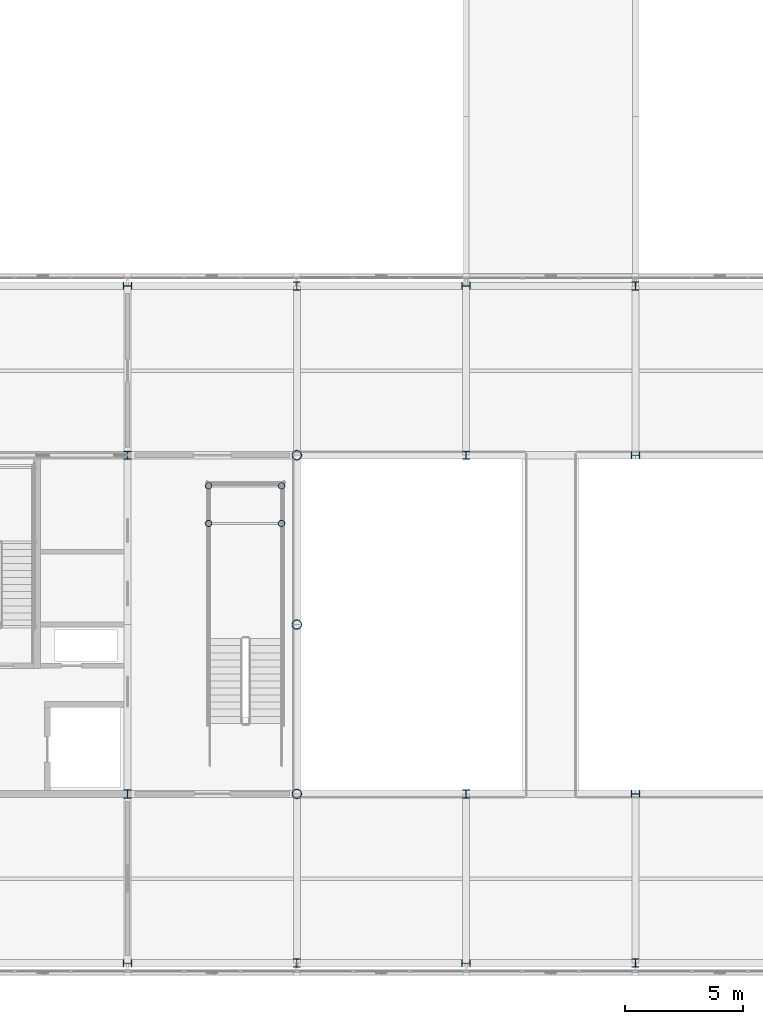
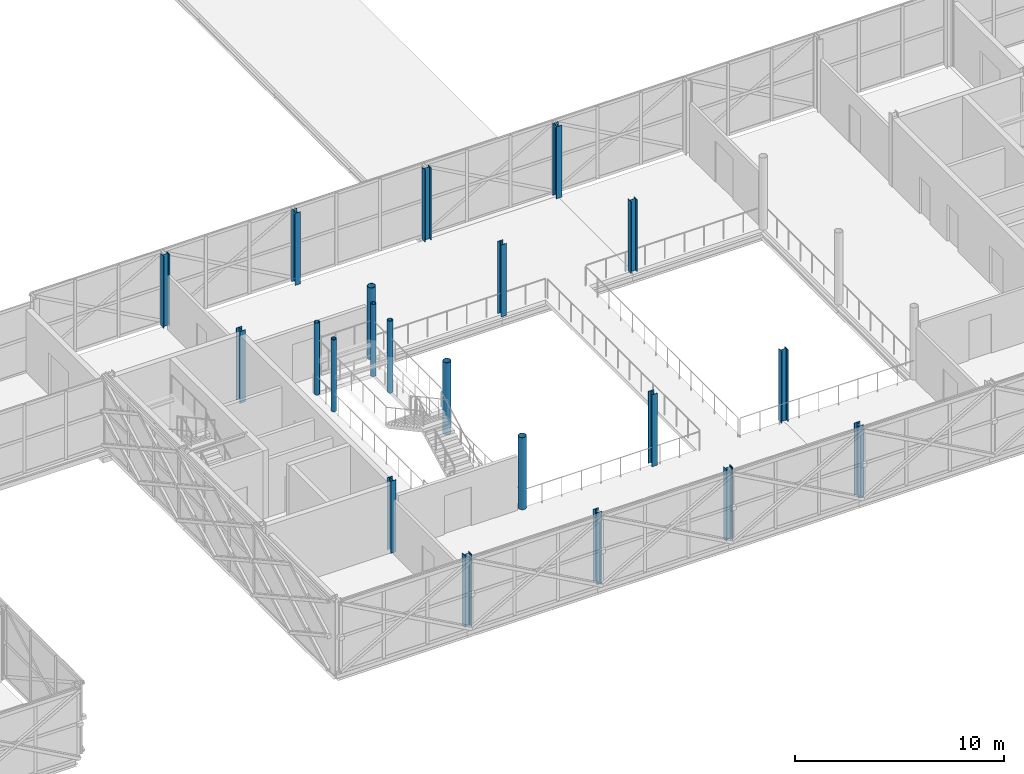
# One storey, part 5 of 126: 21 columns.
"""IFC4 building model written with IfcOpenShell, lengths in metres."""

from ifc_helpers import new_model, si_unit, direction, frame, origin, origin_2d, place, context, subcontext, project, spatial, hollow_circle, i_section, extrude, material, material_profile, profile_set, type_object, element, save


model = new_model("IFC4")

# Units and contexts
model_context = context("Model", 3, precision=1e-05, world=origin(), true_north=direction((0.0, 1.0)))
body_context = subcontext(model_context, "Body", "Model", "MODEL_VIEW")
ifc_project = project(units=[si_unit("LENGTHUNIT", "METRE"), si_unit("AREAUNIT", "SQUARE_METRE"), si_unit("VOLUMEUNIT", "CUBIC_METRE"), si_unit("PLANEANGLEUNIT", "RADIAN"), si_unit("MASSUNIT", "GRAM", prefix="KILO")], contexts=[model_context])

# Site, building, storey
site_placement = place(None, origin())
site = spatial("IfcSite", under=ifc_project, at=site_placement, CompositionType="ELEMENT")
building_placement = place(site_placement, origin())
building = spatial("IfcBuilding", under=site, at=building_placement, Name="Zlatovets Crest Museum", CompositionType="ELEMENT")
storey_placement = place(building_placement, frame((0.0, 0.0, 8.699951171875)))
storey = spatial("IfcBuildingStorey", under=building, at=storey_placement, Name="L02", CompositionType="ELEMENT", Elevation=8.699951171875)

# Columns
ifc_material = material(Name="Structural steel S355J2", Category="steel")
ifc_material_profile_1 = material_profile(ifc_material, i_section(OverallWidth=0.300048828125, OverallDepth=0.360107421875, WebThickness=0.012451171875, FlangeThickness=0.0224609375, FilletRadius=0.027099609375, at=origin_2d()), Name="HEB 360")
ifc_profile_set_1 = profile_set([ifc_material_profile_1], Name="Structural steel S355J2")
column_type_1 = type_object("IfcColumnType", Name="Col_C-08", PredefinedType="COLUMN", material=ifc_profile_set_1)
for number, where, z_axis, x_axis, name in (
    (1, (64.800048828125, 0.0, 0.0), (0.0, 0.0, 1.0), (0.0, 1.0, 0.0), "V2 L02 Column (64.8, 0.0)"),
    (2, (64.800048828125, 7.199951171875, 0.0), (0.0, 0.0, 1.0), (1.0, 0.0, 0.0), "V2 L02 Column (64.8, 7.2)"),
    (3, (64.800048828125, 21.60009765625, 0.0), (0.0, 0.0, 1.0), (1.0, 0.0, 0.0), "V2 L02 Column (64.8, 21.6)"),
    (4, (64.800048828125, 28.800048828125, 0.0), (0.0, 0.0, 1.0), (0.0, 1.0, 0.0), "V2 L02 Column (64.8, 28.8)"),
    (5, (72.0, 0.0, 0.0), (0.0, 0.0, 1.0), (1.0, 0.0, 0.0), "V2 L02 Column (72.0, 0.0)"),
    (6, (72.0, 28.800048828125, 0.0), (0.0, 0.0, 1.0), (1.0, 0.0, 0.0), "V2 L02 Column (72.0, 28.8)"),
    (7, (79.199951171875, 0.0, 0.0), (0.0, 0.0, 1.0), (0.0, 1.0, 0.0), "V2 L02 Column (79.2, 0.0)"),
    (8, (79.199951171875, 7.199951171875, 0.0), (0.0, 0.0, 1.0), (1.0, 0.0, 0.0), "V2 L02 Column (79.2, 7.2)"),
    (9, (79.199951171875, 21.60009765625, 0.0), (0.0, 0.0, 1.0), (1.0, 0.0, 0.0), "V2 L02 Column (79.2, 21.6)"),
    (10, (79.199951171875, 28.800048828125, 0.0), (0.0, 0.0, 1.0), (0.0, 1.0, 0.0), "V2 L02 Column (79.2, 28.8)"),
    (11, (86.39990234375, 0.0, 0.0), (0.0, 0.0, 1.0), (1.0, 0.0, 0.0), "V2 L02 Column (86.4, 0.0)"),
    (12, (86.39990234375, 7.199951171875, 0.0), (0.0, 0.0, 1.0), (0.0, 1.0, 0.0), "V2 L02 Column (86.4, 7.2)"),
    (13, (86.39990234375, 21.60009765625, 0.0), (0.0, 0.0, 1.0), (0.0, 1.0, 0.0), "V2 L02 Column (86.4, 21.6)"),
    (14, (86.39990234375, 28.800048828125, 0.0), (0.0, 0.0, 1.0), (1.0, 0.0, 0.0), "V2 L02 Column (86.4, 28.8)"),
):
    element("IfcColumn", number, at=place(storey_placement, frame(where, z_axis=z_axis, x_axis=x_axis)), inside=storey, type_object=column_type_1, Name=name, PredefinedType="COLUMN", context=body_context, shape_type="SweptSolid", body=[
        extrude(i_section(OverallWidth=0.300048828125, OverallDepth=0.360107421875, WebThickness=0.012451171875, FlangeThickness=0.0224609375, FilletRadius=0.027099609375, at=origin_2d()), origin(), (0.0, 0.0, 1.0), 4.199951171875),
    ])
ifc_material_profile_2 = material_profile(ifc_material, hollow_circle(Radius=0.203125, WallThickness=0.01611328125, at=origin_2d()), Name="CHS 406.4x16.0")
ifc_profile_set_2 = profile_set([ifc_material_profile_2], Name="Structural steel S355J2")
column_type_2 = type_object("IfcColumnType", Name="Col_C-12", PredefinedType="COLUMN", material=ifc_profile_set_2)
for number, where, z_axis, x_axis, name in (
    (15, (72.0, 7.199951171875, 0.0), (0.0, 0.0, 1.0), (0.0, 1.0, 0.0), "V2 L02 Column (72.0, 7.2)"),
    (16, (72.0, 14.39990234375, 0.0), (0.0, 0.0, 1.0), (1.0, 0.0, 0.0), "V2 L02 Column (72.0, 14.4)"),
    (17, (72.0, 21.60009765625, 0.0), (0.0, 0.0, 1.0), (0.0, 1.0, 0.0), "V2 L02 Column (72.0, 21.6)"),
):
    element("IfcColumn", number, at=place(storey_placement, frame(where, z_axis=z_axis, x_axis=x_axis)), inside=storey, type_object=column_type_2, Name=name, PredefinedType="COLUMN", context=body_context, shape_type="SweptSolid", body=[
        extrude(hollow_circle(Radius=0.203125, WallThickness=0.01611328125, at=origin_2d()), origin(), (0.0, 0.0, 1.0), 4.199951171875),
    ])
ifc_material_profile_3 = material_profile(ifc_material, hollow_circle(Radius=0.136474609375, WallThickness=0.012451171875, at=origin_2d()), Name="CHS 273.0x12.5")
ifc_profile_set_3 = profile_set([ifc_material_profile_3], Name="Structural steel S355J2")
column_type_3 = type_object("IfcColumnType", Name="Col_C-14", PredefinedType="COLUMN", material=ifc_profile_set_3)
for number, where, z_axis, x_axis, name in (
    (18, (68.25, 18.699951171875, 0.0), (0.0, 0.0, 1.0), (1.0, 0.0, 0.0), "Atrium Feature Stair Support Column"),
    (19, (71.35009765625, 18.699951171875, 0.0), (0.0, 0.0, 1.0), (1.0, 0.0, 0.0), "Atrium Feature Stair Support Column"),
    (20, (68.25, 20.300048828125, 0.0), (0.0, 0.0, 1.0), (1.0, 0.0, 0.0), "Atrium Feature Stair Support Column"),
    (21, (71.35009765625, 20.300048828125, 0.0), (0.0, 0.0, 1.0), (1.0, 0.0, 0.0), "Atrium Feature Stair Support Column"),
):
    element("IfcColumn", number, at=place(storey_placement, frame(where, z_axis=z_axis, x_axis=x_axis)), inside=storey, type_object=column_type_3, Name=name, PredefinedType="COLUMN", context=body_context, shape_type="SweptSolid", body=[
        extrude(hollow_circle(Radius=0.136474609375, WallThickness=0.012451171875, at=origin_2d()), origin(), (0.0, 0.0, 1.0), 4.199951171875),
    ])

save(model, "model.ifc")
